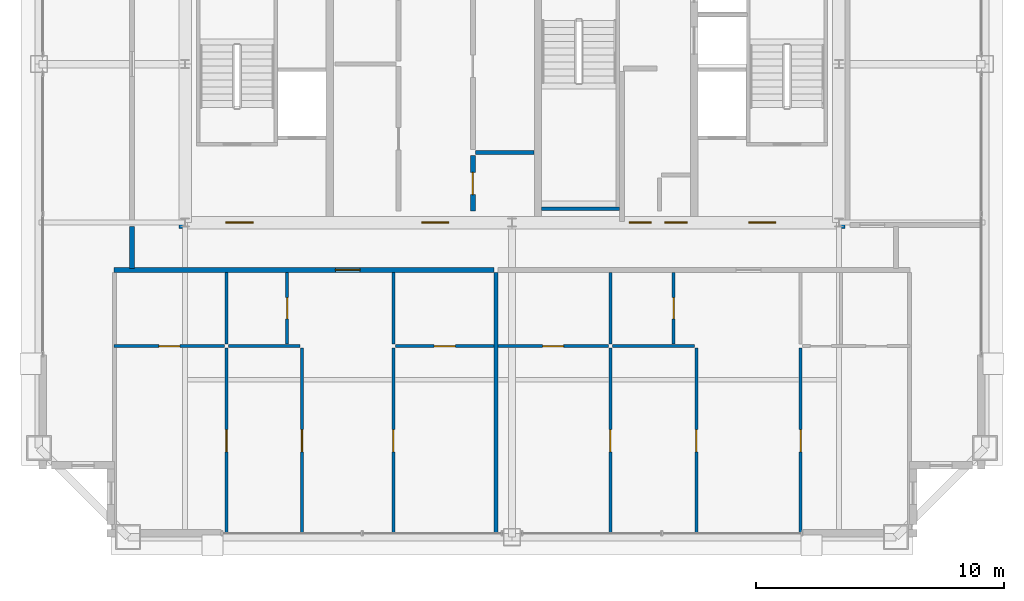
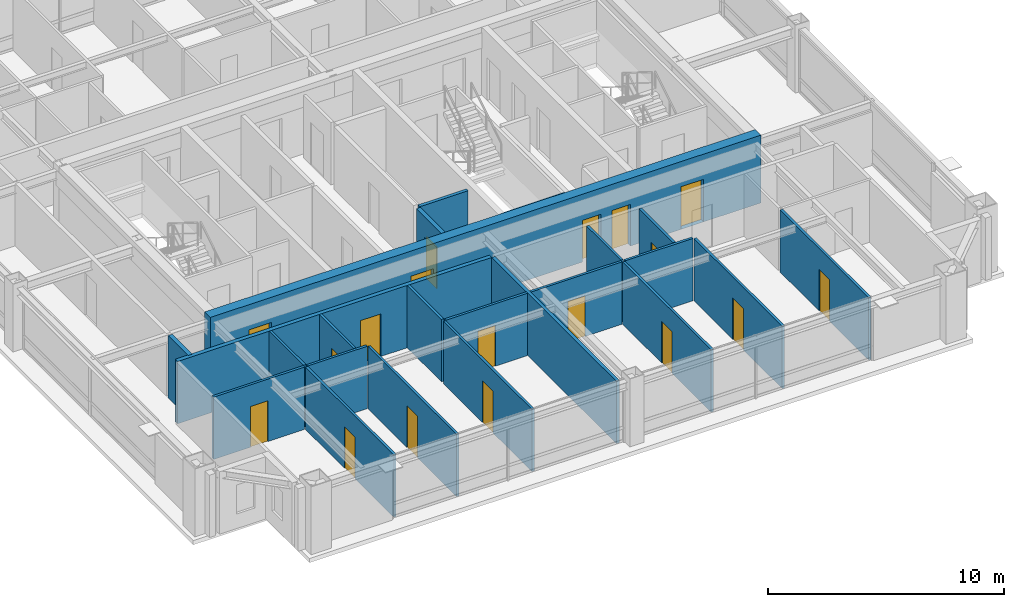
# One storey, part 30 of 35: 23 walls, 18 doors, 18 openings.
"""IFC4 building model written with IfcOpenShell, lengths in metres."""

from ifc_helpers import new_model, si_unit, direction, frame, frame_2d, origin, place, context, subcontext, project, spatial, rectangle, extrude, source, transform, mapped, material, layer, layer_set, type_object, element, fill, save


model = new_model("IFC4")

# Units and contexts
model_context = context("Model", 3, precision=1e-05, world=origin(), true_north=direction((0.0, 1.0)))
body_context = subcontext(model_context, "Body", "Model", "MODEL_VIEW")
ifc_project = project(units=[si_unit("LENGTHUNIT", "METRE"), si_unit("AREAUNIT", "SQUARE_METRE"), si_unit("VOLUMEUNIT", "CUBIC_METRE"), si_unit("PLANEANGLEUNIT", "RADIAN"), si_unit("MASSUNIT", "GRAM", prefix="KILO"), si_unit("THERMODYNAMICTEMPERATUREUNIT", "KELVIN"), si_unit("POWERUNIT", "WATT")], contexts=[model_context])

# Site, building, storey
site_placement = place(None, origin())
site = spatial("IfcSite", under=ifc_project, at=site_placement, CompositionType="ELEMENT")
building_placement = place(site_placement, origin())
building = spatial("IfcBuilding", under=site, at=building_placement, Name="Yuzanri Waterfront Tower", CompositionType="ELEMENT")
storey_placement = place(building_placement, frame((0.0, 0.0, 303.10009765625)))
storey = spatial("IfcBuildingStorey", under=building, at=storey_placement, Name="L81", CompositionType="ELEMENT", Elevation=303.10009765625)

# Wall, opening, door
ifc_material_1 = material(Name="Moisture-Resistant Gypsum Stud Wall", Category="gypsum")
ifc_layer_1 = layer(ifc_material_1, 0.1201171875)
ifc_layer_set_1 = layer_set([ifc_layer_1], Name="Moisture-Resistant Gypsum Stud Wall")
wall_type_1 = type_object("IfcWallType", Name="Bathroom and Kitchen Wet Partition 120", PredefinedType="PARTITIONING", material=ifc_layer_set_1)
wall_1_placement = place(storey_placement, frame((20.93994140625, 14.409912109375, 0.0), z_axis=(0.0, 0.0, 1.0), x_axis=(1.0, 0.0, 0.0)))
wall_1 = element("IfcWall", 1, at=wall_1_placement, inside=storey, type_object=wall_type_1, Name="L81 Partition UW-L81-HS1-SUB-1-S", PredefinedType="PARTITIONING", context=body_context, shape_type="SweptSolid", body=[
    extrude(rectangle(XDim=4.449951171875, YDim=0.1201171875, at=frame_2d((2.22509765625, 0.0))), origin(), (0.0, 0.0, 1.0), 3.219970703125),
])
opening_1_placement = place(wall_1_placement, frame((1.800048828125, 0.0, 0.0)))
opening_1 = element("IfcOpeningElement", 2, at=opening_1_placement, cuts=wall_1, Name="Opening ID-0850", PredefinedType="OPENING", context=body_context, shape_type="SweptSolid", body=[
    extrude(rectangle(XDim=0.85009765625, YDim=2.10009765625, at=frame_2d((0.425048828125, 1.050048828125))), frame((0.0, 0.074951171875, 0.0), z_axis=(0.0, -1.0, 0.0), x_axis=(1.0, 0.0, 0.0)), (0.0, 0.0, 1.0), 0.14990234375),
])
ifc_material_2 = material(Name="Moisture-Resistant Lacquered Timber", Category="wood")
door_type_1 = type_object("IfcDoorType", Name="En-Suite Bathroom and Kitchen Swing Door 850x2100", OperationType="NOTDEFINED", PredefinedType="DOOR", material=ifc_material_2)
shared_shape_1 = source(origin(), body_context, "Body", "SweptSolid", [
    extrude(rectangle(XDim=0.85009765625, YDim=2.10009765625, at=frame_2d((0.425048828125, 1.050048828125))), frame((0.0, 0.02490234375, 0.0), z_axis=(0.0, -1.0, 0.0), x_axis=(1.0, 0.0, 0.0)), (0.0, 0.0, 1.0), 0.050048828125),
])
door_1_placement = place(opening_1_placement, origin())
door_1 = element("IfcDoor", 3, at=door_1_placement, inside=storey, type_object=door_type_1, Name="L81 Suite Interior Room Door", OperationType="SINGLE_SWING_RIGHT", OverallHeight=2.10009765625, OverallWidth=0.85009765625, PredefinedType="DOOR", context=body_context, shape_type="MappedRepresentation", body=[
    mapped(shared_shape_1, transform((0.0, 0.0, 0.0), scale=1.0)),
])
fill(opening_1, door_1)

wall_2_placement = place(storey_placement, frame((27.922119140625, 14.489990234375, 0.0), z_axis=(0.0, 0.0, 1.0), x_axis=(0.0, 1.0, 0.0)))
wall_2 = element("IfcWall", 4, at=wall_2_placement, inside=storey, type_object=wall_type_1, Name="L81 Partition UW-L81-HS1-SUB-2-E", PredefinedType="PARTITIONING", context=body_context, shape_type="SweptSolid", body=[
    extrude(rectangle(XDim=2.89990234375, YDim=0.1201171875, at=frame_2d((1.449951171875, 0.0))), origin(), (0.0, 0.0, 1.0), 3.219970703125),
])
opening_2_placement = place(wall_2_placement, frame((1.02490234375, 0.0, 0.0)))
opening_2 = element("IfcOpeningElement", 5, at=opening_2_placement, cuts=wall_2, Name="Opening ID-0850", PredefinedType="OPENING", context=body_context, shape_type="SweptSolid", body=[
    extrude(rectangle(XDim=0.85009765625, YDim=2.10009765625, at=frame_2d((0.425048828125, 1.050048828125))), frame((0.0, 0.074951171875, 0.0), z_axis=(0.0, -1.0, 0.0), x_axis=(1.0, 0.0, 0.0)), (0.0, 0.0, 1.0), 0.14990234375),
])
door_2_placement = place(opening_2_placement, origin())
door_2 = element("IfcDoor", 6, at=door_2_placement, inside=storey, type_object=door_type_1, Name="L81 Suite Interior Room Door", OperationType="SINGLE_SWING_LEFT", OverallHeight=2.10009765625, OverallWidth=0.85009765625, PredefinedType="DOOR", context=body_context, shape_type="MappedRepresentation", body=[
    mapped(shared_shape_1, transform((0.0, 0.0, 0.0), scale=1.0)),
])
fill(opening_2, door_2)

wall_3_placement = place(storey_placement, frame((32.2900390625, 14.409912109375, 0.0), z_axis=(0.0, 0.0, 1.0), x_axis=(1.0, 0.0, 0.0)))
wall_3 = element("IfcWall", 7, at=wall_3_placement, inside=storey, type_object=wall_type_1, Name="L81 Partition UW-L81-HS1-SUB-3-S", PredefinedType="PARTITIONING", context=body_context, shape_type="SweptSolid", body=[
    extrude(rectangle(XDim=3.988037109375, YDim=0.1201171875, at=frame_2d((1.994140625, 0.0))), origin(), (0.0, 0.0, 1.0), 3.219970703125),
])
opening_3_placement = place(wall_3_placement, frame((1.569091796875, 0.0, 0.0)))
opening_3 = element("IfcOpeningElement", 8, at=opening_3_placement, cuts=wall_3, Name="Opening ID-0850", PredefinedType="OPENING", context=body_context, shape_type="SweptSolid", body=[
    extrude(rectangle(XDim=0.85009765625, YDim=2.10009765625, at=frame_2d((0.425048828125, 1.050048828125))), frame((0.0, 0.074951171875, 0.0), z_axis=(0.0, -1.0, 0.0), x_axis=(1.0, 0.0, 0.0)), (0.0, 0.0, 1.0), 0.14990234375),
])
door_3_placement = place(opening_3_placement, origin())
door_3 = element("IfcDoor", 9, at=door_3_placement, inside=storey, type_object=door_type_1, Name="L81 Suite Interior Room Door", OperationType="SINGLE_SWING_RIGHT", OverallHeight=2.10009765625, OverallWidth=0.85009765625, PredefinedType="DOOR", context=body_context, shape_type="MappedRepresentation", body=[
    mapped(shared_shape_1, transform((0.0, 0.0, 0.0), scale=1.0)),
])
fill(opening_3, door_3)

wall_4_placement = place(storey_placement, frame((25.469970703125, 6.85009765625, 0.0), z_axis=(0.0, 0.0, 1.0), x_axis=(0.0, 1.0, 0.0)))
wall_4 = element("IfcWall", 10, at=wall_4_placement, inside=storey, type_object=wall_type_1, Name="L81 Partition UW-L81-HS1-SUB-4-E", PredefinedType="PARTITIONING", context=body_context, shape_type="SweptSolid", body=[
    extrude(rectangle(XDim=7.47998046875, YDim=0.1201171875, at=frame_2d((3.739990234375, 0.0))), origin(), (0.0, 0.0, 1.0), 3.219970703125),
])
opening_4_placement = place(wall_4_placement, frame((3.2900390625, 0.0, 0.0)))
opening_4 = element("IfcOpeningElement", 11, at=opening_4_placement, cuts=wall_4, Name="Opening ID-0900", PredefinedType="OPENING", context=body_context, shape_type="SweptSolid", body=[
    extrude(rectangle(XDim=0.89990234375, YDim=2.14990234375, at=frame_2d((0.449951171875, 1.074951171875))), frame((0.0, 0.074951171875, 0.0), z_axis=(0.0, -1.0, 0.0), x_axis=(1.0, 0.0, 0.0)), (0.0, 0.0, 1.0), 0.14990234375),
])
ifc_material_3 = material(Name="Stained Walnut Veneer Timber", Category="wood")
door_type_2 = type_object("IfcDoorType", Name="Bedroom and Study Interior Swing Door 900x2150", OperationType="NOTDEFINED", PredefinedType="DOOR", material=ifc_material_3)
shared_shape_2 = source(origin(), body_context, "Body", "SweptSolid", [
    extrude(rectangle(XDim=0.89990234375, YDim=2.14990234375, at=frame_2d((0.449951171875, 1.074951171875))), frame((0.0, 0.02490234375, 0.0), z_axis=(0.0, -1.0, 0.0), x_axis=(1.0, 0.0, 0.0)), (0.0, 0.0, 1.0), 0.050048828125),
])
door_4_placement = place(opening_4_placement, origin())
door_4 = element("IfcDoor", 12, at=door_4_placement, inside=storey, type_object=door_type_2, Name="L81 Suite Interior Room Door", OperationType="SINGLE_SWING_LEFT", OverallHeight=2.14990234375, OverallWidth=0.89990234375, PredefinedType="DOOR", context=body_context, shape_type="MappedRepresentation", body=[
    mapped(shared_shape_2, transform((0.0, 0.0, 0.0), scale=1.0)),
])
fill(opening_4, door_4)

wall_5_placement = place(storey_placement, frame((32.2099609375, 6.85009765625, 0.0), z_axis=(0.0, 0.0, 1.0), x_axis=(0.0, 1.0, 0.0)))
wall_5 = element("IfcWall", 13, at=wall_5_placement, inside=storey, type_object=wall_type_1, Name="L81 Partition UW-L81-HS1-SUB-5-W", PredefinedType="PARTITIONING", context=body_context, shape_type="SweptSolid", body=[
    extrude(rectangle(XDim=7.47998046875, YDim=0.1201171875, at=frame_2d((3.739990234375, 0.0))), origin(), (0.0, 0.0, 1.0), 3.219970703125),
])
opening_5_placement = place(wall_5_placement, frame((3.2900390625, 0.0, 0.0)))
opening_5 = element("IfcOpeningElement", 14, at=opening_5_placement, cuts=wall_5, Name="Opening ID-0900", PredefinedType="OPENING", context=body_context, shape_type="SweptSolid", body=[
    extrude(rectangle(XDim=0.89990234375, YDim=2.14990234375, at=frame_2d((0.449951171875, 1.074951171875))), frame((0.0, 0.074951171875, 0.0), z_axis=(0.0, -1.0, 0.0), x_axis=(1.0, 0.0, 0.0)), (0.0, 0.0, 1.0), 0.14990234375),
])
door_5_placement = place(opening_5_placement, origin())
door_5 = element("IfcDoor", 15, at=door_5_placement, inside=storey, type_object=door_type_2, Name="L81 Suite Interior Room Door", OperationType="SINGLE_SWING_RIGHT", OverallHeight=2.14990234375, OverallWidth=0.89990234375, PredefinedType="DOOR", context=body_context, shape_type="MappedRepresentation", body=[
    mapped(shared_shape_2, transform((0.0, 0.0, 0.0), scale=1.0)),
])
fill(opening_5, door_5)

wall_6_placement = place(storey_placement, frame((28.52490234375, 6.85009765625, 0.0), z_axis=(0.0, 0.0, 1.0), x_axis=(0.0, 1.0, 0.0)))
wall_6 = element("IfcWall", 16, at=wall_6_placement, inside=storey, type_object=wall_type_1, Name="L81 Partition UW-L81-HS1-SUB-6-E", PredefinedType="PARTITIONING", context=body_context, shape_type="SweptSolid", body=[
    extrude(rectangle(XDim=7.47998046875, YDim=0.1201171875, at=frame_2d((3.739990234375, 0.0))), origin(), (0.0, 0.0, 1.0), 3.219970703125),
])
opening_6_placement = place(wall_6_placement, frame((3.2900390625, 0.0, 0.0)))
opening_6 = element("IfcOpeningElement", 17, at=opening_6_placement, cuts=wall_6, Name="Opening ID-0900", PredefinedType="OPENING", context=body_context, shape_type="SweptSolid", body=[
    extrude(rectangle(XDim=0.89990234375, YDim=2.14990234375, at=frame_2d((0.449951171875, 1.074951171875))), frame((0.0, 0.074951171875, 0.0), z_axis=(0.0, -1.0, 0.0), x_axis=(1.0, 0.0, 0.0)), (0.0, 0.0, 1.0), 0.14990234375),
])
door_6_placement = place(opening_6_placement, origin())
door_6 = element("IfcDoor", 18, at=door_6_placement, inside=storey, type_object=door_type_2, Name="L81 Suite Interior Room Door", OperationType="SINGLE_SWING_LEFT", OverallHeight=2.14990234375, OverallWidth=0.89990234375, PredefinedType="DOOR", context=body_context, shape_type="MappedRepresentation", body=[
    mapped(shared_shape_2, transform((0.0, 0.0, 0.0), scale=1.0)),
])
fill(opening_6, door_6)

wall_7_placement = place(storey_placement, frame((36.43798828125, 14.409912109375, 0.0), z_axis=(0.0, 0.0, 1.0), x_axis=(1.0, 0.0, 0.0)))
wall_7 = element("IfcWall", 19, at=wall_7_placement, inside=storey, type_object=wall_type_1, Name="L81 Partition UW-L81-HS2-SUB-1-S", PredefinedType="PARTITIONING", context=body_context, shape_type="SweptSolid", body=[
    extrude(rectangle(XDim=4.449951171875, YDim=0.1201171875, at=frame_2d((2.22509765625, 0.0))), origin(), (0.0, 0.0, 1.0), 3.219970703125),
])
opening_7_placement = place(wall_7_placement, frame((1.800048828125, 0.0, 0.0)))
opening_7 = element("IfcOpeningElement", 20, at=opening_7_placement, cuts=wall_7, Name="Opening ID-0850", PredefinedType="OPENING", context=body_context, shape_type="SweptSolid", body=[
    extrude(rectangle(XDim=0.85009765625, YDim=2.10009765625, at=frame_2d((0.425048828125, 1.050048828125))), frame((0.0, 0.074951171875, 0.0), z_axis=(0.0, -1.0, 0.0), x_axis=(1.0, 0.0, 0.0)), (0.0, 0.0, 1.0), 0.14990234375),
])
door_7_placement = place(opening_7_placement, origin())
door_7 = element("IfcDoor", 21, at=door_7_placement, inside=storey, type_object=door_type_1, Name="L81 Suite Interior Room Door", OperationType="SINGLE_SWING_LEFT", OverallHeight=2.10009765625, OverallWidth=0.85009765625, PredefinedType="DOOR", context=body_context, shape_type="MappedRepresentation", body=[
    mapped(shared_shape_1, transform((0.0, 0.0, 0.0), scale=1.0)),
])
fill(opening_7, door_7)

wall_8_placement = place(storey_placement, frame((43.528076171875, 14.489990234375, 0.0), z_axis=(0.0, 0.0, 1.0), x_axis=(0.0, 1.0, 0.0)))
wall_8 = element("IfcWall", 22, at=wall_8_placement, inside=storey, type_object=wall_type_1, Name="L81 Partition UW-L81-HS2-SUB-2-E", PredefinedType="PARTITIONING", context=body_context, shape_type="SweptSolid", body=[
    extrude(rectangle(XDim=2.89990234375, YDim=0.1201171875, at=frame_2d((1.449951171875, 0.0))), origin(), (0.0, 0.0, 1.0), 3.219970703125),
])
opening_8_placement = place(wall_8_placement, frame((1.02490234375, 0.0, 0.0)))
opening_8 = element("IfcOpeningElement", 23, at=opening_8_placement, cuts=wall_8, Name="Opening ID-0850", PredefinedType="OPENING", context=body_context, shape_type="SweptSolid", body=[
    extrude(rectangle(XDim=0.85009765625, YDim=2.10009765625, at=frame_2d((0.425048828125, 1.050048828125))), frame((0.0, 0.074951171875, 0.0), z_axis=(0.0, -1.0, 0.0), x_axis=(1.0, 0.0, 0.0)), (0.0, 0.0, 1.0), 0.14990234375),
])
door_8_placement = place(opening_8_placement, origin())
door_8 = element("IfcDoor", 24, at=door_8_placement, inside=storey, type_object=door_type_1, Name="L81 Suite Interior Room Door", OperationType="SINGLE_SWING_RIGHT", OverallHeight=2.10009765625, OverallWidth=0.85009765625, PredefinedType="DOOR", context=body_context, shape_type="MappedRepresentation", body=[
    mapped(shared_shape_1, transform((0.0, 0.0, 0.0), scale=1.0)),
])
fill(opening_8, door_8)

wall_9_placement = place(storey_placement, frame((40.968017578125, 6.85009765625, 0.0), z_axis=(0.0, 0.0, 1.0), x_axis=(0.0, 1.0, 0.0)))
wall_9 = element("IfcWall", 25, at=wall_9_placement, inside=storey, type_object=wall_type_1, Name="L81 Partition UW-L81-HS2-SUB-5-E", PredefinedType="PARTITIONING", context=body_context, shape_type="SweptSolid", body=[
    extrude(rectangle(XDim=7.47998046875, YDim=0.1201171875, at=frame_2d((3.739990234375, 0.0))), origin(), (0.0, 0.0, 1.0), 3.219970703125),
])
opening_9_placement = place(wall_9_placement, frame((3.2900390625, 0.0, 0.0)))
opening_9 = element("IfcOpeningElement", 26, at=opening_9_placement, cuts=wall_9, Name="Opening ID-0900", PredefinedType="OPENING", context=body_context, shape_type="SweptSolid", body=[
    extrude(rectangle(XDim=0.89990234375, YDim=2.14990234375, at=frame_2d((0.449951171875, 1.074951171875))), frame((0.0, 0.074951171875, 0.0), z_axis=(0.0, -1.0, 0.0), x_axis=(1.0, 0.0, 0.0)), (0.0, 0.0, 1.0), 0.14990234375),
])
door_9_placement = place(opening_9_placement, origin())
door_9 = element("IfcDoor", 27, at=door_9_placement, inside=storey, type_object=door_type_2, Name="L81 Suite Interior Room Door", OperationType="SINGLE_SWING_LEFT", OverallHeight=2.14990234375, OverallWidth=0.89990234375, PredefinedType="DOOR", context=body_context, shape_type="MappedRepresentation", body=[
    mapped(shared_shape_2, transform((0.0, 0.0, 0.0), scale=1.0)),
])
fill(opening_9, door_9)

wall_10_placement = place(storey_placement, frame((48.657958984375, 6.85009765625, 0.0), z_axis=(0.0, 0.0, 1.0), x_axis=(0.0, 1.0, 0.0)))
wall_10 = element("IfcWall", 28, at=wall_10_placement, inside=storey, type_object=wall_type_1, Name="L81 Partition UW-L81-HS2-SUB-6-W", PredefinedType="PARTITIONING", context=body_context, shape_type="SweptSolid", body=[
    extrude(rectangle(XDim=7.47998046875, YDim=0.1201171875, at=frame_2d((3.739990234375, 0.0))), origin(), (0.0, 0.0, 1.0), 3.219970703125),
])
opening_10_placement = place(wall_10_placement, frame((3.2900390625, 0.0, 0.0)))
opening_10 = element("IfcOpeningElement", 29, at=opening_10_placement, cuts=wall_10, Name="Opening ID-0900", PredefinedType="OPENING", context=body_context, shape_type="SweptSolid", body=[
    extrude(rectangle(XDim=0.89990234375, YDim=2.14990234375, at=frame_2d((0.449951171875, 1.074951171875))), frame((0.0, 0.074951171875, 0.0), z_axis=(0.0, -1.0, 0.0), x_axis=(1.0, 0.0, 0.0)), (0.0, 0.0, 1.0), 0.14990234375),
])
door_10_placement = place(opening_10_placement, origin())
door_10 = element("IfcDoor", 30, at=door_10_placement, inside=storey, type_object=door_type_2, Name="L81 Suite Interior Room Door", OperationType="SINGLE_SWING_RIGHT", OverallHeight=2.14990234375, OverallWidth=0.89990234375, PredefinedType="DOOR", context=body_context, shape_type="MappedRepresentation", body=[
    mapped(shared_shape_2, transform((0.0, 0.0, 0.0), scale=1.0)),
])
fill(opening_10, door_10)

wall_11_placement = place(storey_placement, frame((44.44091796875, 6.85009765625, 0.0), z_axis=(0.0, 0.0, 1.0), x_axis=(0.0, 1.0, 0.0)))
wall_11 = element("IfcWall", 31, at=wall_11_placement, inside=storey, type_object=wall_type_1, Name="L81 Partition UW-L81-HS2-SUB-7-E", PredefinedType="PARTITIONING", context=body_context, shape_type="SweptSolid", body=[
    extrude(rectangle(XDim=7.47998046875, YDim=0.1201171875, at=frame_2d((3.739990234375, 0.0))), origin(), (0.0, 0.0, 1.0), 3.219970703125),
])
opening_11_placement = place(wall_11_placement, frame((3.2900390625, 0.0, 0.0)))
opening_11 = element("IfcOpeningElement", 32, at=opening_11_placement, cuts=wall_11, Name="Opening ID-0900", PredefinedType="OPENING", context=body_context, shape_type="SweptSolid", body=[
    extrude(rectangle(XDim=0.89990234375, YDim=2.14990234375, at=frame_2d((0.449951171875, 1.074951171875))), frame((0.0, 0.074951171875, 0.0), z_axis=(0.0, -1.0, 0.0), x_axis=(1.0, 0.0, 0.0)), (0.0, 0.0, 1.0), 0.14990234375),
])
door_11_placement = place(opening_11_placement, origin())
door_11 = element("IfcDoor", 33, at=door_11_placement, inside=storey, type_object=door_type_2, Name="L81 Suite Interior Room Door", OperationType="SINGLE_SWING_LEFT", OverallHeight=2.14990234375, OverallWidth=0.89990234375, PredefinedType="DOOR", context=body_context, shape_type="MappedRepresentation", body=[
    mapped(shared_shape_2, transform((0.0, 0.0, 0.0), scale=1.0)),
])
fill(opening_11, door_11)

# Wall, openings, doors
ifc_material_4 = material(Name="Concrete C45", Category="concrete")
ifc_layer_2 = layer(ifc_material_4, 0.47998046875)
ifc_layer_set_2 = layer_set([ifc_layer_2], Name="Concrete C45")
wall_type_2 = type_object("IfcWallType", Name="Concrete C45 High-Rise Core Shear Wall 480", PredefinedType="SHEAR", material=ifc_layer_set_2)
wall_12_placement = place(storey_placement, frame((23.56005859375, 19.39990234375, 0.0), z_axis=(0.0, 0.0, 1.0), x_axis=(1.0, 0.0, 0.0)))
wall_12 = element("IfcWall", 34, at=wall_12_placement, inside=storey, type_object=wall_type_2, Name="L81 Core South Shear Wall", PredefinedType="SHEAR", context=body_context, shape_type="SweptSolid", body=[
    extrude(rectangle(XDim=26.8798828125, YDim=0.47998046875, at=frame_2d((13.43994140625, 0.0))), origin(), (0.0, 0.0, 1.0), 3.5),
])
opening_12_placement = place(wall_12_placement, frame((1.889892578125, 0.0, 0.0)))
opening_12 = element("IfcOpeningElement", 35, at=opening_12_placement, cuts=wall_12, Name="Opening FD-1100", PredefinedType="OPENING", context=body_context, shape_type="SweptSolid", body=[
    extrude(rectangle(XDim=1.10009765625, YDim=2.199951171875, at=frame_2d((0.550048828125, 1.10009765625))), frame((0.0, 0.2548828125, 0.0), z_axis=(0.0, -1.0, 0.0), x_axis=(1.0, 0.0, 0.0)), (0.0, 0.0, 1.0), 0.509765625),
])
opening_13_placement = place(wall_12_placement, frame((9.7900390625, 0.0, 0.0)))
opening_13 = element("IfcOpeningElement", 36, at=opening_13_placement, cuts=wall_12, Name="Opening FD-1100", PredefinedType="OPENING", context=body_context, shape_type="SweptSolid", body=[
    extrude(rectangle(XDim=1.10009765625, YDim=2.199951171875, at=frame_2d((0.550048828125, 1.10009765625))), frame((0.0, 0.2548828125, 0.0), z_axis=(0.0, -1.0, 0.0), x_axis=(1.0, 0.0, 0.0)), (0.0, 0.0, 1.0), 0.509765625),
])
opening_14_placement = place(wall_12_placement, frame((22.989990234375, 0.0, 0.0)))
opening_14 = element("IfcOpeningElement", 37, at=opening_14_placement, cuts=wall_12, Name="Opening FD-1100", PredefinedType="OPENING", context=body_context, shape_type="SweptSolid", body=[
    extrude(rectangle(XDim=1.10009765625, YDim=2.199951171875, at=frame_2d((0.550048828125, 1.10009765625))), frame((0.0, 0.2548828125, 0.0), z_axis=(0.0, -1.0, 0.0), x_axis=(1.0, 0.0, 0.0)), (0.0, 0.0, 1.0), 0.509765625),
])
opening_15_placement = place(wall_12_placement, frame((19.610107421875, 0.0, 0.0)))
opening_15 = element("IfcOpeningElement", 38, at=opening_15_placement, cuts=wall_12, Name="Opening FD-0900", PredefinedType="OPENING", context=body_context, shape_type="SweptSolid", body=[
    extrude(rectangle(XDim=0.89990234375, YDim=2.14990234375, at=frame_2d((0.449951171875, 1.074951171875))), frame((0.0, 0.2548828125, 0.0), z_axis=(0.0, -1.0, 0.0), x_axis=(1.0, 0.0, 0.0)), (0.0, 0.0, 1.0), 0.509765625),
])
opening_16_placement = place(wall_12_placement, frame((18.169921875, 0.0, 0.0)))
opening_16 = element("IfcOpeningElement", 39, at=opening_16_placement, cuts=wall_12, Name="Opening FD-0900", PredefinedType="OPENING", context=body_context, shape_type="SweptSolid", body=[
    extrude(rectangle(XDim=0.89990234375, YDim=2.14990234375, at=frame_2d((0.449951171875, 1.074951171875))), frame((0.0, 0.2548828125, 0.0), z_axis=(0.0, -1.0, 0.0), x_axis=(1.0, 0.0, 0.0)), (0.0, 0.0, 1.0), 0.509765625),
])
ifc_material_5 = material(Name="Painted Galvanized Fire Steel", Category="steel")
door_type_3 = type_object("IfcDoorType", Name="Smoke-Proof Stair and Lobby Fire Door 1100x2200", OperationType="NOTDEFINED", PredefinedType="DOOR", material=ifc_material_5)
shared_shape_3 = source(origin(), body_context, "Body", "SweptSolid", [
    extrude(rectangle(XDim=1.10009765625, YDim=2.199951171875, at=frame_2d((0.550048828125, 1.10009765625))), frame((0.0, 0.02490234375, 0.0), z_axis=(0.0, -1.0, 0.0), x_axis=(1.0, 0.0, 0.0)), (0.0, 0.0, 1.0), 0.050048828125),
])
door_12_placement = place(opening_12_placement, origin())
door_12 = element("IfcDoor", 40, at=door_12_placement, inside=storey, type_object=door_type_3, Name="L81 West Firefighting Lobby Door", OperationType="SINGLE_SWING_LEFT", OverallHeight=2.199951171875, OverallWidth=1.10009765625, PredefinedType="DOOR", context=body_context, shape_type="MappedRepresentation", body=[
    mapped(shared_shape_3, transform((0.0, 0.0, 0.0), scale=1.0)),
])
fill(opening_12, door_12)
door_13_placement = place(opening_13_placement, origin())
door_13 = element("IfcDoor", 41, at=door_13_placement, inside=storey, type_object=door_type_3, Name="L81 Central Lift Lobby South Door", OperationType="SINGLE_SWING_RIGHT", OverallHeight=2.199951171875, OverallWidth=1.10009765625, PredefinedType="DOOR", context=body_context, shape_type="MappedRepresentation", body=[
    mapped(shared_shape_3, transform((0.0, 0.0, 0.0), scale=1.0)),
])
fill(opening_13, door_13)
door_14_placement = place(opening_14_placement, origin())
door_14 = element("IfcDoor", 42, at=door_14_placement, inside=storey, type_object=door_type_3, Name="L81 East Firefighting Lobby Door", OperationType="SINGLE_SWING_LEFT", OverallHeight=2.199951171875, OverallWidth=1.10009765625, PredefinedType="DOOR", context=body_context, shape_type="MappedRepresentation", body=[
    mapped(shared_shape_3, transform((0.0, 0.0, 0.0), scale=1.0)),
])
fill(opening_14, door_14)
ifc_material_6 = material(Name="Painted Galvanized Fire Steel", Category="steel")
door_type_4 = type_object("IfcDoorType", Name="Riser and Service Room Fire Door 900x2150", OperationType="NOTDEFINED", PredefinedType="DOOR", material=ifc_material_6)
shared_shape_4 = source(origin(), body_context, "Body", "SweptSolid", [
    extrude(rectangle(XDim=0.89990234375, YDim=2.14990234375, at=frame_2d((0.449951171875, 1.074951171875))), frame((0.0, 0.02490234375, 0.0), z_axis=(0.0, -1.0, 0.0), x_axis=(1.0, 0.0, 0.0)), (0.0, 0.0, 1.0), 0.050048828125),
])
door_15_placement = place(opening_15_placement, origin())
door_15 = element("IfcDoor", 43, at=door_15_placement, inside=storey, type_object=door_type_4, Name="L81 East Wet Riser Door", OperationType="SINGLE_SWING_LEFT", OverallHeight=2.14990234375, OverallWidth=0.89990234375, PredefinedType="DOOR", context=body_context, shape_type="MappedRepresentation", body=[
    mapped(shared_shape_4, transform((0.0, 0.0, 0.0), scale=1.0)),
])
fill(opening_15, door_15)
door_16_placement = place(opening_16_placement, origin())
door_16 = element("IfcDoor", 44, at=door_16_placement, inside=storey, type_object=door_type_4, Name="L81 Cleaners Store Room", OperationType="SINGLE_SWING_RIGHT", OverallHeight=2.14990234375, OverallWidth=0.89990234375, PredefinedType="DOOR", context=body_context, shape_type="MappedRepresentation", body=[
    mapped(shared_shape_4, transform((0.0, 0.0, 0.0), scale=1.0)),
])
fill(opening_16, door_16)

# Wall, opening, door
ifc_material_7 = material(Name="Autoclaved Aerated Concrete Blockwork", Category="masonry")
ifc_layer_3 = layer(ifc_material_7, 0.199951171875)
ifc_layer_set_3 = layer_set([ifc_layer_3], Name="Autoclaved Aerated Concrete Blockwork")
wall_type_3 = type_object("IfcWallType", Name="Corridor and Unit Party Fire Wall 200", PredefinedType="PARTITIONING", material=ifc_layer_set_3)
wall_13_placement = place(storey_placement, frame((35.419921875, 19.860107421875, 0.0), z_axis=(0.0, 0.0, 1.0), x_axis=(0.0, 1.0, 0.0)))
wall_13 = element("IfcWall", 45, at=wall_13_placement, inside=storey, type_object=wall_type_3, Name="L81 Partition CRW-L81-B2R-1", PredefinedType="PARTITIONING", context=body_context, shape_type="SweptSolid", body=[
    extrude(rectangle(XDim=2.239990234375, YDim=0.199951171875, at=frame_2d((1.1201171875, 0.0))), origin(), (0.0, 0.0, 1.0), 3.219970703125),
])
opening_17_placement = place(wall_13_placement, frame((0.669921875, 0.0, 0.0)))
opening_17 = element("IfcOpeningElement", 46, at=opening_17_placement, cuts=wall_13, Name="Opening FD-0900", PredefinedType="OPENING", context=body_context, shape_type="SweptSolid", body=[
    extrude(rectangle(XDim=0.89990234375, YDim=2.14990234375, at=frame_2d((0.449951171875, 1.074951171875))), frame((0.0, 0.11474609375, 0.0), z_axis=(0.0, -1.0, 0.0), x_axis=(1.0, 0.0, 0.0)), (0.0, 0.0, 1.0), 0.229736328125),
])
door_17_placement = place(opening_17_placement, origin())
door_17 = element("IfcDoor", 47, at=door_17_placement, inside=storey, type_object=door_type_4, Name="L81 Service Duct Shaft", OperationType="SINGLE_SWING_LEFT", OverallHeight=2.14990234375, OverallWidth=0.89990234375, PredefinedType="DOOR", context=body_context, shape_type="MappedRepresentation", body=[
    mapped(shared_shape_4, transform((0.0, 0.0, 0.0), scale=1.0)),
])
fill(opening_17, door_17)

wall_14_placement = place(storey_placement, frame((20.93994140625, 17.489990234375, 0.0), z_axis=(0.0, 0.0, 1.0), x_axis=(1.0, 0.0, 0.0)))
wall_14 = element("IfcWall", 48, at=wall_14_placement, inside=storey, type_object=wall_type_3, Name="L81 Partition UW-L81-HS1-CN", PredefinedType="PARTITIONING", context=body_context, shape_type="SweptSolid", body=[
    extrude(rectangle(XDim=15.338134765625, YDim=0.199951171875, at=frame_2d((7.6689453125, 0.0))), origin(), (0.0, 0.0, 1.0), 3.219970703125),
])
opening_18_placement = place(wall_14_placement, frame((8.927001953125, 0.0, 0.0)))
opening_18 = element("IfcOpeningElement", 49, at=opening_18_placement, cuts=wall_14, Name="Opening FD-1000", PredefinedType="OPENING", context=body_context, shape_type="SweptSolid", body=[
    extrude(rectangle(XDim=1.0, YDim=2.199951171875, at=frame_2d((0.5, 1.10009765625))), frame((0.0, 0.11474609375, 0.0), z_axis=(0.0, -1.0, 0.0), x_axis=(1.0, 0.0, 0.0)), (0.0, 0.0, 1.0), 0.229736328125),
])
ifc_material_8 = material(Name="Engineered Oak Fire-Rated Timber", Category="wood")
door_type_5 = type_object("IfcDoorType", Name="Guestroom and Apartment Entrance Fire Door 1000x2200", OperationType="NOTDEFINED", PredefinedType="DOOR", material=ifc_material_8)
shared_shape_5 = source(origin(), body_context, "Body", "SweptSolid", [
    extrude(rectangle(XDim=1.0, YDim=2.199951171875, at=frame_2d((0.5, 1.10009765625))), frame((0.0, 0.02490234375, 0.0), z_axis=(0.0, -1.0, 0.0), x_axis=(1.0, 0.0, 0.0)), (0.0, 0.0, 1.0), 0.050048828125),
])
door_18_placement = place(opening_18_placement, origin())
door_18 = element("IfcDoor", 50, at=door_18_placement, inside=storey, type_object=door_type_5, Name="L81 Apartment Living and Dining Salon Entrance Door", OperationType="SINGLE_SWING_LEFT", OverallHeight=2.199951171875, OverallWidth=1.0, PredefinedType="DOOR", context=body_context, shape_type="MappedRepresentation", body=[
    mapped(shared_shape_5, transform((0.0, 0.0, 0.0), scale=1.0)),
])
fill(opening_18, door_18)

# Walls
ifc_material_9 = material(Name="Concrete C40", Category="concrete")
ifc_layer_4 = layer(ifc_material_9, 0.139892578125)
ifc_layer_set_4 = layer_set([ifc_layer_4], Name="Concrete C40")
wall_type_4 = type_object("IfcWallType", Name="Core Stair Liner and Hoistway Shaft Wall 140", PredefinedType="SOLIDWALL", material=ifc_layer_set_4)
shared_shape_6 = source(origin(), body_context, "Body", "SweptSolid", [
    extrude(rectangle(XDim=3.14013671875, YDim=0.139892578125, at=frame_2d((1.570068359375, 0.0))), origin(), (0.0, 0.0, 1.0), 3.219970703125),
])
wall_15_placement = place(storey_placement, frame((38.199951171875, 19.949951171875, 0.0), z_axis=(0.0, 0.0, 1.0), x_axis=(1.0, 0.0, 0.0)))
element("IfcWall", 51, at=wall_15_placement, inside=storey, type_object=wall_type_4, Name="L81 Stair ST-03 South Shaft Wall", PredefinedType="SOLIDWALL", context=body_context, shape_type="MappedRepresentation", body=[
    mapped(shared_shape_6, transform((0.0, 0.0, 0.0), scale=1.0)),
])
ifc_material_10 = material(Name="Gypsum Fireboard Acoustic Stud Wall", Category="gypsum")
ifc_layer_5 = layer(ifc_material_10, 0.159912109375)
ifc_layer_set_5 = layer_set([ifc_layer_5], Name="Gypsum Fireboard Acoustic Stud Wall")
wall_type_5 = type_object("IfcWallType", Name="Acoustic Suite Demising Partition 160", PredefinedType="PARTITIONING", material=ifc_layer_set_5)
shared_shape_7 = source(origin(), body_context, "Body", "SweptSolid", [
    extrude(rectangle(XDim=2.35986328125, YDim=0.159912109375, at=frame_2d((1.179931640625, 0.0))), origin(), (0.0, 0.0, 1.0), 3.219970703125),
])
wall_16_placement = place(storey_placement, frame((35.52001953125, 22.22998046875, 0.0), z_axis=(0.0, 0.0, 1.0), x_axis=(1.0, 0.0, 0.0)))
element("IfcWall", 52, at=wall_16_placement, inside=storey, type_object=wall_type_5, Name="L81 Reclaimed High-Zone Divider 2", PredefinedType="PARTITIONING", context=body_context, shape_type="MappedRepresentation", body=[
    mapped(shared_shape_7, transform((0.0, 0.0, 0.0), scale=1.0)),
])
shared_shape_8 = source(origin(), body_context, "Body", "SweptSolid", [
    extrude(rectangle(XDim=1.699951171875, YDim=0.199951171875, at=frame_2d((0.85009765625, 0.0))), origin(), (0.0, 0.0, 1.0), 3.219970703125),
])
wall_17_placement = place(storey_placement, frame((21.64990234375, 17.550048828125, 0.0), z_axis=(0.0, 0.0, 1.0), x_axis=(0.0, 1.0, 0.0)))
element("IfcWall", 53, at=wall_17_placement, inside=storey, type_object=wall_type_3, Name="L81 South Foyer West End Wall", PredefinedType="PARTITIONING", context=body_context, shape_type="MappedRepresentation", body=[
    mapped(shared_shape_8, transform((0.0, 0.0, 0.0), scale=1.0)),
])
shared_shape_9 = source(origin(), body_context, "Body", "SweptSolid", [
    extrude(rectangle(XDim=10.539794921875, YDim=0.159912109375, at=frame_2d((5.27001953125, 0.0))), origin(), (0.0, 0.0, 1.0), 3.219970703125),
])
wall_18_placement = place(storey_placement, frame((36.35791015625, 6.85009765625, 0.0), z_axis=(0.0, 0.0, 1.0), x_axis=(0.0, 1.0, 0.0)))
element("IfcWall", 54, at=wall_18_placement, inside=storey, type_object=wall_type_5, Name="L81-HS1 Party Wall", PredefinedType="PARTITIONING", context=body_context, shape_type="MappedRepresentation", body=[
    mapped(shared_shape_9, transform((0.0, 0.0, 0.0), scale=1.0)),
])
shared_shape_10 = source(origin(), body_context, "Body", "SweptSolid", [
    extrude(rectangle(XDim=2.89990234375, YDim=0.1201171875, at=frame_2d((1.449951171875, 0.0))), origin(), (0.0, 0.0, 1.0), 3.219970703125),
])
for number, where, z_axis, x_axis, name in (
    (55, (25.469970703125, 14.489990234375, 0.0), (0.0, 0.0, 1.0), (0.0, 1.0, 0.0), "L81 Partition UW-L81-HS1-SUB-1-E"),
    (56, (32.2099609375, 14.489990234375, 0.0), (0.0, 0.0, 1.0), (0.0, 1.0, 0.0), "L81 Partition UW-L81-HS1-SUB-3-W"),
    (57, (40.968017578125, 14.489990234375, 0.0), (0.0, 0.0, 1.0), (0.0, 1.0, 0.0), "L81 Partition UW-L81-HS2-SUB-1-E"),
):
    element("IfcWall", number, at=place(storey_placement, frame(where, z_axis=z_axis, x_axis=x_axis)), inside=storey, type_object=wall_type_1, Name=name, PredefinedType="PARTITIONING", context=body_context, shape_type="MappedRepresentation", body=[
        mapped(shared_shape_10, transform((0.0, 0.0, 0.0), scale=1.0)),
    ])
shared_shape_11 = source(origin(), body_context, "Body", "SweptSolid", [
    extrude(rectangle(XDim=2.89501953125, YDim=0.1201171875, at=frame_2d((1.447509765625, 0.0))), origin(), (0.0, 0.0, 1.0), 3.219970703125),
])
wall_19_placement = place(storey_placement, frame((25.550048828125, 14.409912109375, 0.0), z_axis=(0.0, 0.0, 1.0), x_axis=(1.0, 0.0, 0.0)))
element("IfcWall", 58, at=wall_19_placement, inside=storey, type_object=wall_type_1, Name="L81 Partition UW-L81-HS1-SUB-6-N", PredefinedType="PARTITIONING", context=body_context, shape_type="MappedRepresentation", body=[
    mapped(shared_shape_11, transform((0.0, 0.0, 0.0), scale=1.0)),
])
shared_shape_12 = source(origin(), body_context, "Body", "SweptSolid", [
    extrude(rectangle(XDim=3.31298828125, YDim=0.1201171875, at=frame_2d((1.656494140625, 0.0))), origin(), (0.0, 0.0, 1.0), 3.219970703125),
])
wall_20_placement = place(storey_placement, frame((41.048095703125, 14.409912109375, 0.0), z_axis=(0.0, 0.0, 1.0), x_axis=(1.0, 0.0, 0.0)))
element("IfcWall", 59, at=wall_20_placement, inside=storey, type_object=wall_type_1, Name="L81 Partition UW-L81-HS2-SUB-7-N", PredefinedType="PARTITIONING", context=body_context, shape_type="MappedRepresentation", body=[
    mapped(shared_shape_12, transform((0.0, 0.0, 0.0), scale=1.0)),
])

save(model, "model.ifc")
